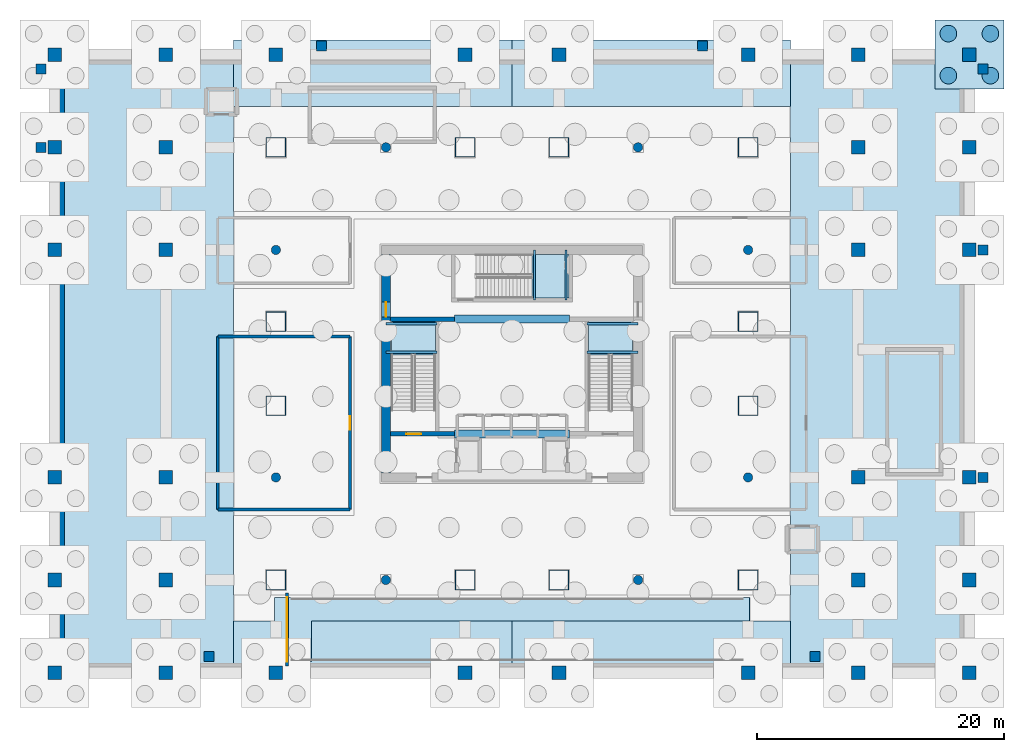
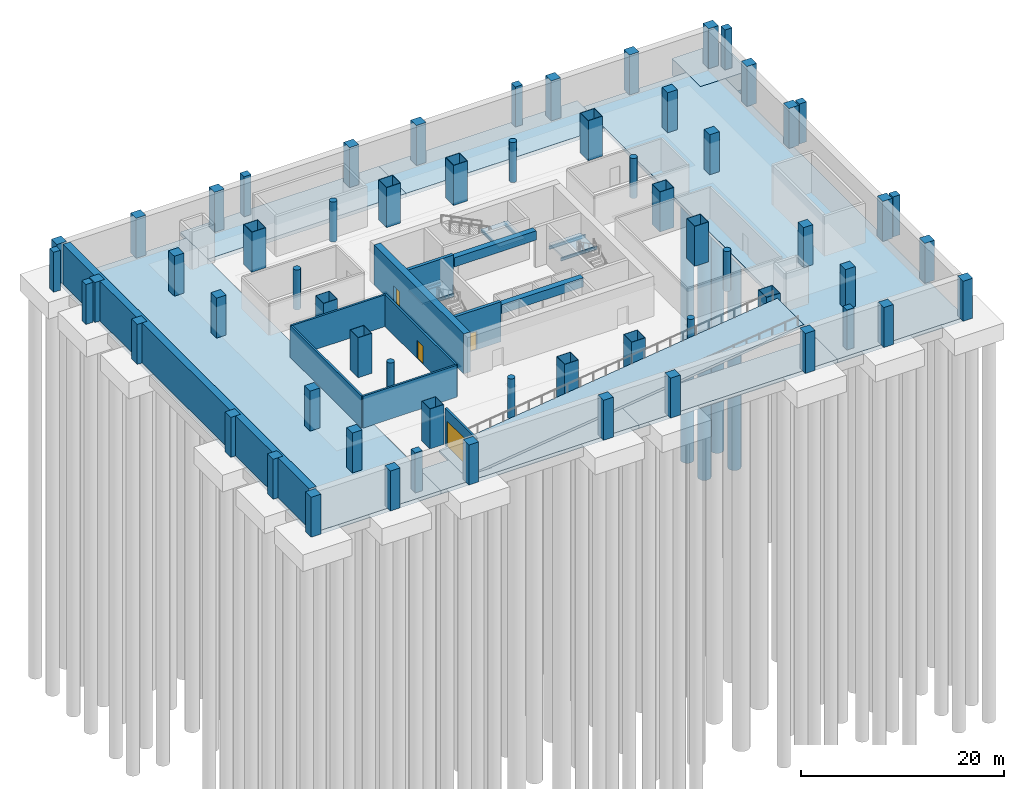
# One storey, part 3 of 11: 61 columns, 10 slabs, 9 walls, 8 beams, 4 doors, 4 piles, 1 footing, 4 openings, 3 elements without a shape of their own.
"""IFC4 building model written with IfcOpenShell, lengths in metres."""

from ifc_helpers import new_model, si_unit, direction, frame, frame_2d, origin, origin_2d, place, context, subcontext, project, spatial, polyline, rectangle, hollow_rectangle, circle, i_section, outline, extrude, material, layer, layer_set, material_profile, profile_set, type_object, element, fill, aggregate, save


model = new_model("IFC4")

# Units and contexts
model_context = context("Model", 3, precision=1e-05, world=origin(), true_north=direction((0.0, 1.0)))
body_context = subcontext(model_context, "Body", "Model", "MODEL_VIEW")
ifc_project = project(units=[si_unit("LENGTHUNIT", "METRE"), si_unit("AREAUNIT", "SQUARE_METRE"), si_unit("VOLUMEUNIT", "CUBIC_METRE"), si_unit("PLANEANGLEUNIT", "RADIAN"), si_unit("MASSUNIT", "GRAM", prefix="KILO")], contexts=[model_context])

# Site, building, storey
site_placement = place(None, origin())
site = spatial("IfcSite", under=ifc_project, at=site_placement, CompositionType="ELEMENT")
building_placement = place(site_placement, origin())
building = spatial("IfcBuilding", under=site, at=building_placement, Name="Punatoya Terracotta Tower", CompositionType="ELEMENT")
storey_placement = place(building_placement, frame((0.0, 0.0, -9.60009765625)))
storey = spatial("IfcBuildingStorey", under=building, at=storey_placement, Name="B2", CompositionType="ELEMENT", Elevation=-9.60009765625)

# Footing
ifc_material_1 = material(Name="Concrete C45/55", Category="concrete")
footing_type = type_object("IfcFootingType", Name="CAP-5600X5600X2000", PredefinedType="PILE_CAP", material=ifc_material_1)
footing_placement = place(storey_placement, frame((0.0, 0.0, -2.0)))
element("IfcFooting", 1, at=footing_placement, inside=storey, type_object=footing_type, Name="Podium Pile Cap PCAP-28 (11-H)", PredefinedType="PILE_CAP", context=body_context, shape_type="SweptSolid", body=[
    extrude(outline(polyline([(34.199951171875, 22.199951171875), (39.800048828125, 22.199951171875), (39.800048828125, 27.800048828125), (34.199951171875, 27.800048828125), (34.199951171875, 22.199951171875)])), origin(), (0.0, 0.0, 1.0), 2.0),
])

# Piles
ifc_material_profile_1 = material_profile(ifc_material_1, circle(Radius=0.675048828125, at=origin_2d()))
ifc_profile_set_1 = profile_set([ifc_material_profile_1], Name="Concrete C45/55")
pile_type = type_object("IfcPileType", Name="PILE-D1350", PredefinedType="BORED", material=ifc_profile_set_1)
for number, where, z_axis, x_axis, name in (
    (2, (35.300048828125, 23.300048828125, -1.849853515625), (0.0, 0.0, -1.0), (1.0, 0.0, 0.0), "Bored Pile BP-181"),
    (3, (35.300048828125, 26.699951171875, -1.849853515625), (0.0, 0.0, -1.0), (1.0, 0.0, 0.0), "Bored Pile BP-182"),
    (4, (38.699951171875, 23.300048828125, -1.849853515625), (0.0, 0.0, -1.0), (1.0, 0.0, 0.0), "Bored Pile BP-183"),
    (5, (38.699951171875, 26.699951171875, -1.849853515625), (0.0, 0.0, -1.0), (1.0, 0.0, 0.0), "Bored Pile BP-184"),
):
    element("IfcPile", number, at=place(storey_placement, frame(where, z_axis=z_axis, x_axis=x_axis)), inside=storey, type_object=pile_type, Name=name, PredefinedType="BORED", context=body_context, shape_type="SweptSolid", body=[
        extrude(circle(Radius=0.675048828125, at=origin_2d()), origin(), (0.0, 0.0, 1.0), 46.0),
    ])

# Columns
ifc_material_2 = material(Name="Steel S460", Category="steel")
ifc_material_profile_2 = material_profile(ifc_material_2, hollow_rectangle(XDim=1.60009765625, YDim=1.60009765625, WallThickness=0.050048828125, at=origin_2d()))
ifc_profile_set_2 = profile_set([ifc_material_profile_2], Name="Steel S460")
column_type_1 = type_object("IfcColumnType", Name="COL-MC-Z0", PredefinedType="COLUMN", material=ifc_profile_set_2)
for number, where, z_axis, x_axis, name in (
    (6, (-19.10009765625, -17.5, 0.0), (0.0, 0.0, 1.0), (1.0, 0.0, 0.0), "B2 Composite Mega-Column MC-01 (3-B)"),
    (7, (-3.800048828125, -17.5, 0.0), (0.0, 0.0, 1.0), (1.0, 0.0, 0.0), "B2 Composite Mega-Column MC-02 (5-B)"),
    (8, (3.800048828125, -17.5, 0.0), (0.0, 0.0, 1.0), (1.0, 0.0, 0.0), "B2 Composite Mega-Column MC-03 (7-B)"),
    (9, (19.10009765625, -17.5, 0.0), (0.0, 0.0, 1.0), (1.0, 0.0, 0.0), "B2 Composite Mega-Column MC-04 (9-B)"),
    (10, (19.10009765625, -3.39990234375, 0.0), (0.0, 0.0, 1.0), (1.0, 0.0, 0.0), "B2 Composite Mega-Column MC-05 (9-D)"),
    (11, (19.10009765625, 3.39990234375, 0.0), (0.0, 0.0, 1.0), (1.0, 0.0, 0.0), "B2 Composite Mega-Column MC-06 (9-E)"),
    (12, (19.10009765625, 17.5, 0.0), (0.0, 0.0, 1.0), (1.0, 0.0, 0.0), "B2 Composite Mega-Column MC-07 (9-G)"),
    (13, (3.800048828125, 17.5, 0.0), (0.0, 0.0, 1.0), (1.0, 0.0, 0.0), "B2 Composite Mega-Column MC-08 (7-G)"),
    (14, (-3.800048828125, 17.5, 0.0), (0.0, 0.0, 1.0), (1.0, 0.0, 0.0), "B2 Composite Mega-Column MC-09 (5-G)"),
    (15, (-19.10009765625, 17.5, 0.0), (0.0, 0.0, 1.0), (1.0, 0.0, 0.0), "B2 Composite Mega-Column MC-10 (3-G)"),
    (16, (-19.10009765625, 3.39990234375, 0.0), (0.0, 0.0, 1.0), (1.0, 0.0, 0.0), "B2 Composite Mega-Column MC-11 (3-E)"),
    (17, (-19.10009765625, -3.39990234375, 0.0), (0.0, 0.0, 1.0), (1.0, 0.0, 0.0), "B2 Composite Mega-Column MC-12 (3-D)"),
):
    element("IfcColumn", number, at=place(storey_placement, frame(where, z_axis=z_axis, x_axis=x_axis)), inside=storey, type_object=column_type_1, Name=name, PredefinedType="COLUMN", context=body_context, shape_type="SweptSolid", body=[
        extrude(hollow_rectangle(XDim=1.60009765625, YDim=1.60009765625, WallThickness=0.050048828125, at=origin_2d()), origin(), (0.0, 0.0, 1.0), 4.800048828125),
    ])
ifc_material_3 = material(Name="Concrete C50/60", Category="concrete")
ifc_material_profile_3 = material_profile(ifc_material_3, circle(Radius=0.375, at=origin_2d()))
ifc_profile_set_3 = profile_set([ifc_material_profile_3], Name="Concrete C50/60")
column_type_2 = type_object("IfcColumnType", Name="COL-PIL-750", PredefinedType="PILASTER", material=ifc_profile_set_3)
for number, where, z_axis, x_axis, name in (
    (18, (-10.199951171875, -17.5, 0.0), (0.0, 0.0, 1.0), (1.0, 0.0, 0.0), "B2 Spine Arcade Pilaster PIL-01"),
    (19, (10.199951171875, -17.5, 0.0), (0.0, 0.0, 1.0), (1.0, 0.0, 0.0), "B2 Spine Arcade Pilaster PIL-02"),
    (20, (-10.199951171875, 17.5, 0.0), (0.0, 0.0, 1.0), (1.0, 0.0, 0.0), "B2 Spine Arcade Pilaster PIL-03"),
    (21, (10.199951171875, 17.5, 0.0), (0.0, 0.0, 1.0), (1.0, 0.0, 0.0), "B2 Spine Arcade Pilaster PIL-04"),
    (22, (-19.10009765625, -9.199951171875, 0.0), (0.0, 0.0, 1.0), (1.0, 0.0, 0.0), "B2 Spine Arcade Pilaster PIL-05"),
    (23, (19.10009765625, -9.199951171875, 0.0), (0.0, 0.0, 1.0), (1.0, 0.0, 0.0), "B2 Spine Arcade Pilaster PIL-06"),
    (24, (-19.10009765625, 9.199951171875, 0.0), (0.0, 0.0, 1.0), (1.0, 0.0, 0.0), "B2 Spine Arcade Pilaster PIL-07"),
    (25, (19.10009765625, 9.199951171875, 0.0), (0.0, 0.0, 1.0), (1.0, 0.0, 0.0), "B2 Spine Arcade Pilaster PIL-08"),
):
    element("IfcColumn", number, at=place(storey_placement, frame(where, z_axis=z_axis, x_axis=x_axis)), inside=storey, type_object=column_type_2, Name=name, PredefinedType="PILASTER", context=body_context, shape_type="SweptSolid", body=[
        extrude(circle(Radius=0.375, at=origin_2d()), origin(), (0.0, 0.0, 1.0), 4.800048828125),
    ])
ifc_material_4 = material(Name="Concrete C60/75", Category="concrete")
ifc_material_profile_4 = material_profile(ifc_material_4, rectangle(XDim=1.10009765625, YDim=1.10009765625, at=origin_2d()))
ifc_profile_set_4 = profile_set([ifc_material_profile_4], Name="Concrete C60/75")
column_type_3 = type_object("IfcColumnType", Name="COL-RC-1100", PredefinedType="COLUMN", material=ifc_profile_set_4)
for number, where, z_axis, x_axis, name in (
    (26, (-37.0, -25.0, 0.0), (0.0, 0.0, 1.0), (1.0, 0.0, 0.0), "B2 Podium Column PC-01 (1-A)"),
    (27, (-28.0, -25.0, 0.0), (0.0, 0.0, 1.0), (1.0, 0.0, 0.0), "B2 Podium Column PC-02 (2-A)"),
    (28, (-19.10009765625, -25.0, 0.0), (0.0, 0.0, 1.0), (1.0, 0.0, 0.0), "B2 Podium Column PC-03 (3-A)"),
    (29, (-3.800048828125, -25.0, 0.0), (0.0, 0.0, 1.0), (1.0, 0.0, 0.0), "B2 Podium Column PC-04 (5-A)"),
    (30, (3.800048828125, -25.0, 0.0), (0.0, 0.0, 1.0), (1.0, 0.0, 0.0), "B2 Podium Column PC-05 (7-A)"),
    (31, (19.10009765625, -25.0, 0.0), (0.0, 0.0, 1.0), (1.0, 0.0, 0.0), "B2 Podium Column PC-06 (9-A)"),
    (32, (28.0, -25.0, 0.0), (0.0, 0.0, 1.0), (1.0, 0.0, 0.0), "B2 Podium Column PC-07 (10-A)"),
    (33, (37.0, -25.0, 0.0), (0.0, 0.0, 1.0), (1.0, 0.0, 0.0), "B2 Podium Column PC-08 (11-A)"),
    (34, (-37.0, -17.5, 0.0), (0.0, 0.0, 1.0), (1.0, 0.0, 0.0), "B2 Podium Column PC-09 (1-B)"),
    (35, (-28.0, -17.5, 0.0), (0.0, 0.0, 1.0), (1.0, 0.0, 0.0), "B2 Podium Column PC-10 (2-B)"),
    (36, (28.0, -17.5, 0.0), (0.0, 0.0, 1.0), (1.0, 0.0, 0.0), "B2 Podium Column PC-11 (10-B)"),
    (37, (37.0, -17.5, 0.0), (0.0, 0.0, 1.0), (1.0, 0.0, 0.0), "B2 Podium Column PC-12 (11-B)"),
    (38, (-37.0, -9.199951171875, 0.0), (0.0, 0.0, 1.0), (1.0, 0.0, 0.0), "B2 Podium Column PC-13 (1-C)"),
    (39, (37.0, -9.199951171875, 0.0), (0.0, 0.0, 1.0), (1.0, 0.0, 0.0), "B2 Podium Column PC-14 (11-C)"),
    (40, (-37.0, 9.199951171875, 0.0), (0.0, 0.0, 1.0), (1.0, 0.0, 0.0), "B2 Podium Column PC-15 (1-F)"),
    (41, (37.0, 9.199951171875, 0.0), (0.0, 0.0, 1.0), (1.0, 0.0, 0.0), "B2 Podium Column PC-16 (11-F)"),
    (42, (-37.0, 17.5, 0.0), (0.0, 0.0, 1.0), (1.0, 0.0, 0.0), "B2 Podium Column PC-17 (1-G)"),
    (43, (-28.0, 17.5, 0.0), (0.0, 0.0, 1.0), (1.0, 0.0, 0.0), "B2 Podium Column PC-18 (2-G)"),
    (44, (28.0, 17.5, 0.0), (0.0, 0.0, 1.0), (1.0, 0.0, 0.0), "B2 Podium Column PC-19 (10-G)"),
    (45, (37.0, 17.5, 0.0), (0.0, 0.0, 1.0), (1.0, 0.0, 0.0), "B2 Podium Column PC-20 (11-G)"),
    (46, (-37.0, 25.0, 0.0), (0.0, 0.0, 1.0), (1.0, 0.0, 0.0), "B2 Podium Column PC-21 (1-H)"),
    (47, (-28.0, 25.0, 0.0), (0.0, 0.0, 1.0), (1.0, 0.0, 0.0), "B2 Podium Column PC-22 (2-H)"),
    (48, (-19.10009765625, 25.0, 0.0), (0.0, 0.0, 1.0), (1.0, 0.0, 0.0), "B2 Podium Column PC-23 (3-H)"),
    (49, (-3.800048828125, 25.0, 0.0), (0.0, 0.0, 1.0), (1.0, 0.0, 0.0), "B2 Podium Column PC-24 (5-H)"),
    (50, (3.800048828125, 25.0, 0.0), (0.0, 0.0, 1.0), (1.0, 0.0, 0.0), "B2 Podium Column PC-25 (7-H)"),
    (51, (19.10009765625, 25.0, 0.0), (0.0, 0.0, 1.0), (1.0, 0.0, 0.0), "B2 Podium Column PC-26 (9-H)"),
    (52, (28.0, 25.0, 0.0), (0.0, 0.0, 1.0), (1.0, 0.0, 0.0), "B2 Podium Column PC-27 (10-H)"),
    (53, (37.0, 25.0, 0.0), (0.0, 0.0, 1.0), (1.0, 0.0, 0.0), "B2 Podium Column PC-28 (11-H)"),
    (54, (-28.0, -9.199951171875, 0.0), (0.0, 0.0, 1.0), (1.0, 0.0, 0.0), "B2 Podium Column PC-29 (2-C)"),
    (55, (-28.0, 9.199951171875, 0.0), (0.0, 0.0, 1.0), (1.0, 0.0, 0.0), "B2 Podium Column PC-30 (2-F)"),
    (56, (28.0, -9.199951171875, 0.0), (0.0, 0.0, 1.0), (1.0, 0.0, 0.0), "B2 Podium Column PC-31 (10-C)"),
    (57, (28.0, 9.199951171875, 0.0), (0.0, 0.0, 1.0), (1.0, 0.0, 0.0), "B2 Podium Column PC-32 (10-F)"),
):
    element("IfcColumn", number, at=place(storey_placement, frame(where, z_axis=z_axis, x_axis=x_axis)), inside=storey, type_object=column_type_3, Name=name, PredefinedType="COLUMN", context=body_context, shape_type="SweptSolid", body=[
        extrude(rectangle(XDim=1.10009765625, YDim=1.10009765625, at=origin_2d()), origin(), (0.0, 0.0, 1.0), 4.800048828125),
    ])
ifc_material_profile_5 = material_profile(ifc_material_3, rectangle(XDim=0.800048828125, YDim=0.800048828125, at=origin_2d()))
ifc_profile_set_5 = profile_set([ifc_material_profile_5], Name="Concrete C50/60")
column_type_4 = type_object("IfcColumnType", Name="COL-RC-800", PredefinedType="COLUMN", material=ifc_profile_set_5)
for number, where, z_axis, x_axis, name in (
    (58, (-24.5, -23.699951171875, 0.0), (0.0, 0.0, 1.0), (1.0, 0.0, 0.0), "B2 Substructure Support Pier PR1"),
    (59, (24.5, -23.699951171875, 0.0), (0.0, 0.0, 1.0), (1.0, 0.0, 0.0), "B2 Substructure Support Pier PR2"),
    (60, (-15.39990234375, 25.699951171875, 0.0), (0.0, 0.0, 1.0), (1.0, 0.0, 0.0), "B2 Substructure Support Pier PR3"),
    (61, (15.39990234375, 25.699951171875, 0.0), (0.0, 0.0, 1.0), (1.0, 0.0, 0.0), "B2 Substructure Support Pier PR4"),
    (62, (38.10009765625, -9.199951171875, 0.0), (0.0, 0.0, 1.0), (1.0, 0.0, 0.0), "B2 Substructure Support Pier APRE1"),
    (63, (38.10009765625, 9.199951171875, 0.0), (0.0, 0.0, 1.0), (1.0, 0.0, 0.0), "B2 Substructure Support Pier APRE2"),
    (64, (38.10009765625, 23.85009765625, 0.0), (0.0, 0.0, 1.0), (1.0, 0.0, 0.0), "B2 Substructure Support Pier APRE3"),
    (65, (-38.10009765625, 17.5, 0.0), (0.0, 0.0, 1.0), (1.0, 0.0, 0.0), "B2 Substructure Support Pier APRW1"),
    (66, (-38.10009765625, 23.85009765625, 0.0), (0.0, 0.0, 1.0), (1.0, 0.0, 0.0), "B2 Substructure Support Pier APRW2"),
):
    element("IfcColumn", number, at=place(storey_placement, frame(where, z_axis=z_axis, x_axis=x_axis)), inside=storey, type_object=column_type_4, Name=name, PredefinedType="COLUMN", context=body_context, shape_type="SweptSolid", body=[
        extrude(rectangle(XDim=0.800048828125, YDim=0.800048828125, at=origin_2d()), origin(), (0.0, 0.0, 1.0), 4.800048828125),
    ])

# Beams
ifc_material_profile_6 = material_profile(ifc_material_4, rectangle(XDim=0.64990234375, YDim=1.10009765625, at=origin_2d()))
ifc_profile_set_6 = profile_set([ifc_material_profile_6], Name="Concrete C60/75")
beam_type_1 = type_object("IfcBeamType", Name="BM-RC-1100", PredefinedType="LINTEL", material=ifc_profile_set_6)
for number, where, z_axis, x_axis, name in (
    (67, (-4.64990234375, -5.679931640625, 3.97021484375), (1.0, 0.0, 0.0), (0.0, 1.0, 0.0), "B2 Core Coupling Lintel CSW"),
    (68, (-4.64990234375, 3.60009765625, 3.97021484375), (1.0, 0.0, 0.0), (0.0, 1.0, 0.0), "B2 Core Coupling Lintel CNW"),
):
    element("IfcBeam", number, at=place(storey_placement, frame(where, z_axis=z_axis, x_axis=x_axis)), inside=storey, type_object=beam_type_1, Name=name, PredefinedType="LINTEL", context=body_context, shape_type="SweptSolid", body=[
        extrude(rectangle(XDim=0.64990234375, YDim=1.10009765625, at=origin_2d()), origin(), (0.0, 0.0, 1.0), 9.2998046875),
    ])
ifc_material_5 = material(Name="Steel S355", Category="steel")
ifc_material_profile_7 = material_profile(ifc_material_5, i_section(OverallWidth=0.169921875, OverallDepth=0.360107421875, WebThickness=0.008056640625, FlangeThickness=0.0126953125, FilletRadius=0.01806640625, at=origin_2d()))
ifc_profile_set_7 = profile_set([ifc_material_profile_7], Name="Steel S355")
beam_type_2 = type_object("IfcBeamType", Name="BM-SEC-360", PredefinedType="JOIST", material=ifc_profile_set_7)
for number, where, z_axis, x_axis, name in (
    (69, (-10.199951171875, 0.919921875, 2.02001953125), (1.0, 0.0, 0.0), (0.0, 1.0, 0.0), "BM-B2-ST-1-LD1A"),
    (70, (-10.199951171875, 3.22998046875, 2.02001953125), (1.0, 0.0, 0.0), (0.0, 1.0, 0.0), "BM-B2-ST-1-LD1B"),
    (71, (6.050048828125, 0.919921875, 2.02001953125), (1.0, 0.0, 0.0), (0.0, 1.0, 0.0), "BM-B2-ST-2-LD1A"),
    (72, (6.050048828125, 3.22998046875, 2.02001953125), (1.0, 0.0, 0.0), (0.0, 1.0, 0.0), "BM-B2-ST-2-LD1B"),
):
    element("IfcBeam", number, at=place(storey_placement, frame(where, z_axis=z_axis, x_axis=x_axis)), inside=storey, type_object=beam_type_2, Name=name, PredefinedType="JOIST", context=body_context, shape_type="SweptSolid", body=[
        extrude(i_section(OverallWidth=0.169921875, OverallDepth=0.360107421875, WebThickness=0.008056640625, FlangeThickness=0.0126953125, FilletRadius=0.01806640625, at=origin_2d()), origin(), (0.0, 0.0, 1.0), 4.14990234375),
    ])
for number, where, z_axis, x_axis, name in (
    (73, (1.820068359375, 5.14990234375, 2.02001953125), (0.0, 1.0, 0.0), (-1.0, 0.0, 0.0), "BM-B2-ST-3-LD1A"),
    (74, (4.3798828125, 5.14990234375, 2.02001953125), (0.0, 1.0, 0.0), (-1.0, 0.0, 0.0), "BM-B2-ST-3-LD1B"),
):
    element("IfcBeam", number, at=place(storey_placement, frame(where, z_axis=z_axis, x_axis=x_axis)), inside=storey, type_object=beam_type_2, Name=name, PredefinedType="JOIST", context=body_context, shape_type="SweptSolid", body=[
        extrude(i_section(OverallWidth=0.169921875, OverallDepth=0.360107421875, WebThickness=0.008056640625, FlangeThickness=0.0126953125, FilletRadius=0.01806640625, at=origin_2d()), origin(), (0.0, 0.0, 1.0), 4.050048828125),
    ])

# Slabs
ifc_material_6 = material(Name="Concrete C40/50", Category="concrete")
ifc_layer_1 = layer(ifc_material_6, 0.449951171875)
ifc_layer_set_1 = layer_set([ifc_layer_1], Name="Concrete C40/50")
slab_type_1 = type_object("IfcSlabType", Name="SLB-BAS-450", PredefinedType="BASESLAB", material=ifc_layer_set_1)
slab_1_placement = place(storey_placement, frame((0.0, 0.0, -0.449951171875)))
element("IfcSlab", 75, at=slab_1_placement, inside=storey, type_object=slab_type_1, Name="B2 Basement Base Slab W", PredefinedType="BASESLAB", context=body_context, shape_type="SweptSolid", body=[
    extrude(outline(polyline([(-37.0, -25.0), (-22.52001953125, -25.0), (-22.52001953125, 25.0), (-37.0, 25.0), (-37.0, -25.0)])), origin(), (0.0, 0.0, 1.0), 0.449951171875),
])
slab_2_placement = place(storey_placement, frame((0.0, 0.0, -0.449951171875)))
element("IfcSlab", 76, at=slab_2_placement, inside=storey, type_object=slab_type_1, Name="B2 Basement Base Slab E", PredefinedType="BASESLAB", context=body_context, shape_type="SweptSolid", body=[
    extrude(outline(polyline([(22.52001953125, -25.0), (37.0, -25.0), (37.0, 25.0), (22.52001953125, 25.0), (22.52001953125, -25.0)])), origin(), (0.0, 0.0, 1.0), 0.449951171875),
])
slab_3_placement = place(storey_placement, frame((0.0, 0.0, -0.449951171875)))
element("IfcSlab", 77, at=slab_3_placement, inside=storey, type_object=slab_type_1, Name="B2 Basement Base Slab SW", PredefinedType="BASESLAB", context=body_context, shape_type="SweptSolid", body=[
    extrude(outline(polyline([(0.0, -20.820068359375), (0.0, -25.0), (-22.52001953125, -25.0), (-22.52001953125, -20.820068359375), (-19.19921875, -20.820068359375), (-19.19921875, -24.10009765625), (-16.199951171875, -24.10009765625), (-16.199951171875, -20.820068359375), (0.0, -20.820068359375)])), origin(), (0.0, 0.0, 1.0), 0.449951171875),
])
slab_4_placement = place(storey_placement, frame((0.0, 0.0, -0.449951171875)))
element("IfcSlab", 78, at=slab_4_placement, inside=storey, type_object=slab_type_1, Name="B2 Basement Base Slab SE", PredefinedType="BASESLAB", context=body_context, shape_type="SweptSolid", body=[
    extrude(outline(polyline([(0.0, -25.0), (22.52001953125, -25.0), (22.52001953125, -20.820068359375), (0.0, -20.820068359375), (0.0, -25.0)])), origin(), (0.0, 0.0, 1.0), 0.449951171875),
])
slab_5_placement = place(storey_placement, frame((0.0, 0.0, -0.449951171875)))
element("IfcSlab", 79, at=slab_5_placement, inside=storey, type_object=slab_type_1, Name="B2 Basement Base Slab NW", PredefinedType="BASESLAB", context=body_context, shape_type="SweptSolid", body=[
    extrude(outline(polyline([(-22.52001953125, 20.820068359375), (0.0, 20.820068359375), (0.0, 26.199951171875), (-22.52001953125, 26.199951171875), (-22.52001953125, 20.820068359375)])), origin(), (0.0, 0.0, 1.0), 0.449951171875),
])
slab_6_placement = place(storey_placement, frame((0.0, 0.0, -0.449951171875)))
element("IfcSlab", 80, at=slab_6_placement, inside=storey, type_object=slab_type_1, Name="B2 Basement Base Slab NE", PredefinedType="BASESLAB", context=body_context, shape_type="SweptSolid", body=[
    extrude(outline(polyline([(0.0, 20.820068359375), (22.52001953125, 20.820068359375), (22.52001953125, 26.199951171875), (0.0, 26.199951171875), (0.0, 20.820068359375)])), origin(), (0.0, 0.0, 1.0), 0.449951171875),
])

# Stair, slab
stair_type_1 = type_object("IfcStairType", Name="STR-TER-1450", PredefinedType="HALF_TURN_STAIR", material=ifc_material_6)
stair_1_placement = place(storey_placement, origin())
stair_1 = element("IfcStair", 81, at=stair_1_placement, inside=storey, type_object=stair_type_1, Name="B2 Protected Core Exit Stair ST-3", PredefinedType="HALF_TURN_STAIR")
ifc_layer_2 = layer(ifc_material_6, 0.1650390625)
ifc_layer_set_2 = layer_set([ifc_layer_2], Name="Concrete C40/50")
slab_type_2 = type_object("IfcSlabType", Name="SLB-LND-165", PredefinedType="LANDING", material=ifc_layer_set_2)
slab_7_placement = place(storey_placement, frame((0.0, 0.0, 2.2001953125)))
slab_7 = element("IfcSlab", 82, at=slab_7_placement, type_object=slab_type_2, Name="ST-3 landing 1", PredefinedType="LANDING", context=body_context, shape_type="SweptSolid", body=[
    extrude(outline(polyline([(1.60009765625, 5.300048828125), (4.60009765625, 5.300048828125), (4.60009765625, 8.85009765625), (1.60009765625, 8.85009765625), (1.60009765625, 5.300048828125)])), origin(), (0.0, 0.0, 1.0), 0.199951171875),
])
aggregate(stair_1, [slab_7])

stair_type_2 = type_object("IfcStairType", Name="STR-CORE-1550", PredefinedType="HALF_TURN_STAIR", material=ifc_material_6)
stair_2_placement = place(storey_placement, origin())
stair_2 = element("IfcStair", 83, at=stair_2_placement, inside=storey, type_object=stair_type_2, Name="B2 Protected Core Exit Stair ST-1", PredefinedType="HALF_TURN_STAIR")
ifc_layer_3 = layer(ifc_material_6, 0.179931640625)
ifc_layer_set_3 = layer_set([ifc_layer_3], Name="Concrete C40/50")
slab_type_3 = type_object("IfcSlabType", Name="SLB-LND-180", PredefinedType="LANDING", material=ifc_layer_set_3)
slab_8_placement = place(storey_placement, frame((0.0, 0.0, 2.2001953125)))
slab_8 = element("IfcSlab", 84, at=slab_8_placement, type_object=slab_type_3, Name="ST-1 landing 1", PredefinedType="LANDING", context=body_context, shape_type="SweptSolid", body=[
    extrude(outline(polyline([(-6.199951171875, 0.699951171875), (-6.199951171875, 3.449951171875), (-9.75, 3.449951171875), (-9.75, 0.699951171875), (-6.199951171875, 0.699951171875)])), origin(), (0.0, 0.0, 1.0), 0.199951171875),
])
aggregate(stair_2, [slab_8])

stair_type_3 = type_object("IfcStairType", Name="STR-LOB-1650", PredefinedType="HALF_TURN_STAIR", material=ifc_material_6)
stair_3_placement = place(storey_placement, origin())
stair_3 = element("IfcStair", 85, at=stair_3_placement, inside=storey, type_object=stair_type_3, Name="B2 Protected Core Exit Stair ST-2", PredefinedType="HALF_TURN_STAIR")
slab_9_placement = place(storey_placement, frame((0.0, 0.0, 2.2001953125)))
slab_9 = element("IfcSlab", 86, at=slab_9_placement, type_object=slab_type_3, Name="ST-2 landing 1", PredefinedType="LANDING", context=body_context, shape_type="SweptSolid", body=[
    extrude(outline(polyline([(9.75, 0.699951171875), (9.75, 3.449951171875), (6.199951171875, 3.449951171875), (6.199951171875, 0.699951171875), (9.75, 0.699951171875)])), origin(), (0.0, 0.0, 1.0), 0.199951171875),
])
aggregate(stair_3, [slab_9])

# Slab
ifc_layer_4 = layer(ifc_material_6, 0.300048828125)
ifc_layer_set_4 = layer_set([ifc_layer_4], Name="Concrete C40/50")
slab_type_4 = type_object("IfcSlabType", Name="SLB-RMP-300", PredefinedType="FLOOR", material=ifc_layer_set_4)
slab_10_placement = place(storey_placement, frame((-19.199951171875, -24.10009765625, 0.0), z_axis=(-0.124036287512, 0.0, 0.992277682597), x_axis=(0.992277682597, 0.0, 0.124036287512)))
element("IfcSlab", 87, at=slab_10_placement, inside=storey, type_object=slab_type_4, Name="B2-to-B1 Two-Way 1:8 Vehicle Ramp Structural Slab", PredefinedType="FLOOR", context=body_context, shape_type="SweptSolid", body=[
    extrude(outline(polyline([(0.0, 0.0), (38.69873046875, 0.0), (38.69873046875, 5.2001953125), (0.0, 5.2001953125), (0.0, 0.0)])), origin(), (0.0, 0.0, -1.0), 0.300048828125),
])

# Wall, opening, door
ifc_layer_5 = layer(ifc_material_4, 0.75)
ifc_layer_set_5 = layer_set([ifc_layer_5], Name="Concrete C60/75")
wall_type_1 = type_object("IfcWallType", Name="WL-COR-750", PredefinedType="SHEAR", material=ifc_layer_set_5)
wall_1_placement = place(storey_placement, frame((-10.199951171875, -8.824951171875, 0.0), z_axis=(0.0, 0.0, 1.0), x_axis=(0.0, 1.0, 0.0)))
wall_1 = element("IfcWall", 88, at=wall_1_placement, inside=storey, type_object=wall_type_1, Name="B2 Core Shear Wall W", PredefinedType="SHEAR", context=body_context, shape_type="SweptSolid", body=[
    extrude(rectangle(XDim=17.64990234375, YDim=0.75, at=frame_2d((8.824951171875, 0.0))), origin(), (0.0, 0.0, 1.0), 4.800048828125),
])
opening_1_placement = place(wall_1_placement, frame((12.614990234375, 0.0, 0.0)))
opening_1 = element("IfcOpeningElement", 89, at=opening_1_placement, cuts=wall_1, Name="Opening SD-01", PredefinedType="OPENING", context=body_context, shape_type="SweptSolid", body=[
    extrude(rectangle(XDim=1.179931640625, YDim=2.199951171875, at=frame_2d((0.58984375, 1.10009765625))), frame((0.0, 0.385009765625, 0.0), z_axis=(0.0, -1.0, 0.0), x_axis=(1.0, 0.0, 0.0)), (0.0, 0.0, 1.0), 0.77001953125),
])
ifc_material_7 = material(Name="Galvanised Steel Pressurized Stair Fire Door", Category="steel")
door_type_1 = type_object("IfcDoorType", Name="DR-STR-1180", OperationType="NOTDEFINED", PredefinedType="DOOR", material=ifc_material_7)
door_1_placement = place(opening_1_placement, origin())
door_1 = element("IfcDoor", 90, at=door_1_placement, inside=storey, type_object=door_type_1, Name="B2 Central Lift Lobby West Fire Door", OperationType="SINGLE_SWING_LEFT", OverallHeight=2.199951171875, OverallWidth=1.179931640625, PredefinedType="DOOR", context=body_context, shape_type="SweptSolid", body=[
    extrude(rectangle(XDim=1.179931640625, YDim=2.199951171875, at=frame_2d((0.58984375, 1.10009765625))), frame((0.0, 0.02490234375, 0.0), z_axis=(0.0, -1.0, 0.0), x_axis=(1.0, 0.0, 0.0)), (0.0, 0.0, 1.0), 0.050048828125),
])
fill(opening_1, door_1)

ifc_layer_6 = layer(ifc_material_6, 0.219970703125)
ifc_layer_set_6 = layer_set([ifc_layer_6], Name="Concrete C40/50")
wall_type_2 = type_object("IfcWallType", Name="WL-FIR-220", PredefinedType="SOLIDWALL", material=ifc_layer_set_6)
wall_2_placement = place(storey_placement, frame((-18.199951171875, -24.449951171875, 0.0), z_axis=(0.0, 0.0, 1.0), x_axis=(0.0, 1.0, 0.0)))
wall_2 = element("IfcWall", 91, at=wall_2_placement, inside=storey, type_object=wall_type_2, Name="B2 Car Ramp VR-1 Fire-Shutter Portal Wall", PredefinedType="SOLIDWALL", context=body_context, shape_type="SweptSolid", body=[
    extrude(rectangle(XDim=5.89990234375, YDim=0.219970703125, at=frame_2d((2.949951171875, 0.0))), origin(), (0.0, 0.0, 1.0), 4.52001953125),
])
opening_2_placement = place(wall_2_placement, frame((0.35009765625, 0.0, 0.0)))
opening_2 = element("IfcOpeningElement", 92, at=opening_2_placement, cuts=wall_2, Name="Opening VRS-1", PredefinedType="OPENING", context=body_context, shape_type="SweptSolid", body=[
    extrude(rectangle(XDim=5.199951171875, YDim=3.199951171875, at=frame_2d((2.60009765625, 1.60009765625))), frame((0.0, 0.119873046875, 0.0), z_axis=(0.0, -1.0, 0.0), x_axis=(1.0, 0.0, 0.0)), (0.0, 0.0, 1.0), 0.239990234375),
])
ifc_material_8 = material(Name="Galvanised Steel Roller Shutter", Category="steel")
door_type_2 = type_object("IfcDoorType", Name="DR-SHU-5200", OperationType="NOTDEFINED", PredefinedType="GATE", material=ifc_material_8)
door_2_placement = place(opening_2_placement, origin())
door_2 = element("IfcDoor", 93, at=door_2_placement, inside=storey, type_object=door_type_2, Name="B2 Car Ramp VR-1 Fire Roller Shutter", OperationType="ROLLINGUP", OverallHeight=3.199951171875, OverallWidth=5.199951171875, PredefinedType="GATE", context=body_context, shape_type="SweptSolid", body=[
    extrude(rectangle(XDim=5.199951171875, YDim=3.199951171875, at=frame_2d((2.60009765625, 1.60009765625))), frame((0.0, 0.02490234375, 0.0), z_axis=(0.0, -1.0, 0.0), x_axis=(1.0, 0.0, 0.0)), (0.0, 0.0, 1.0), 0.050048828125),
])
fill(opening_2, door_2)

wall_3_placement = place(storey_placement, frame((-13.10009765625, -11.800048828125, 0.0), z_axis=(0.0, 0.0, 1.0), x_axis=(0.0, 1.0, 0.0)))
wall_3 = element("IfcWall", 94, at=wall_3_placement, inside=storey, type_object=wall_type_2, Name="B2 Central Water-Cooled Chiller Plant Room Partition 12", PredefinedType="SOLIDWALL", context=body_context, shape_type="SweptSolid", body=[
    extrude(rectangle(XDim=14.0, YDim=0.219970703125, at=frame_2d((7.0, 0.0))), origin(), (0.0, 0.0, 1.0), 3.814208984375),
])
opening_3_placement = place(wall_3_placement, frame((6.449951171875, 0.0, 0.0)))
opening_3 = element("IfcOpeningElement", 95, at=opening_3_placement, cuts=wall_3, Name="Opening FD-P1", PredefinedType="OPENING", context=body_context, shape_type="SweptSolid", body=[
    extrude(rectangle(XDim=1.10009765625, YDim=2.199951171875, at=frame_2d((0.550048828125, 1.10009765625))), frame((0.0, 0.119873046875, 0.0), z_axis=(0.0, -1.0, 0.0), x_axis=(1.0, 0.0, 0.0)), (0.0, 0.0, 1.0), 0.239990234375),
])
ifc_material_9 = material(Name="Galvanised Steel Plant Fire Door", Category="steel")
door_type_3 = type_object("IfcDoorType", Name="DR-PLT-1100", OperationType="NOTDEFINED", PredefinedType="DOOR", material=ifc_material_9)
door_3_placement = place(opening_3_placement, origin())
door_3 = element("IfcDoor", 96, at=door_3_placement, inside=storey, type_object=door_type_3, Name="B2 Central Water-Cooled Chiller Plant Room Fire Door", OperationType="SINGLE_SWING_LEFT", OverallHeight=2.199951171875, OverallWidth=1.10009765625, PredefinedType="DOOR", context=body_context, shape_type="SweptSolid", body=[
    extrude(rectangle(XDim=1.10009765625, YDim=2.199951171875, at=frame_2d((0.550048828125, 1.10009765625))), frame((0.0, 0.02490234375, 0.0), z_axis=(0.0, -1.0, 0.0), x_axis=(1.0, 0.0, 0.0)), (0.0, 0.0, 1.0), 0.050048828125),
])
fill(opening_3, door_3)

# Walls
wall_4_placement = place(storey_placement, frame((-13.10009765625, 2.199951171875, 0.0), z_axis=(0.0, 0.0, 1.0), x_axis=(-1.0, 0.0, 0.0)))
element("IfcWall", 97, at=wall_4_placement, inside=storey, type_object=wall_type_2, Name="B2 Central Water-Cooled Chiller Plant Room Partition 13", PredefinedType="SOLIDWALL", context=body_context, shape_type="SweptSolid", body=[
    extrude(rectangle(XDim=10.699951171875, YDim=0.219970703125, at=frame_2d((5.35009765625, 0.0))), origin(), (0.0, 0.0, 1.0), 3.814208984375),
])
wall_5_placement = place(storey_placement, frame((-23.800048828125, 2.199951171875, 0.0), z_axis=(0.0, 0.0, 1.0), x_axis=(0.0, -1.0, 0.0)))
element("IfcWall", 98, at=wall_5_placement, inside=storey, type_object=wall_type_2, Name="B2 Central Water-Cooled Chiller Plant Room Partition 14", PredefinedType="SOLIDWALL", context=body_context, shape_type="SweptSolid", body=[
    extrude(rectangle(XDim=14.0, YDim=0.219970703125, at=frame_2d((7.0, 0.0))), origin(), (0.0, 0.0, 1.0), 3.814208984375),
])
wall_6_placement = place(storey_placement, frame((-23.800048828125, -11.800048828125, 0.0), z_axis=(0.0, 0.0, 1.0), x_axis=(1.0, 0.0, 0.0)))
element("IfcWall", 99, at=wall_6_placement, inside=storey, type_object=wall_type_2, Name="B2 Central Water-Cooled Chiller Plant Room Partition 15", PredefinedType="SOLIDWALL", context=body_context, shape_type="SweptSolid", body=[
    extrude(rectangle(XDim=10.699951171875, YDim=0.219970703125, at=frame_2d((5.35009765625, 0.0))), origin(), (0.0, 0.0, 1.0), 3.814208984375),
])
ifc_layer_7 = layer(ifc_material_4, 0.800048828125)
ifc_layer_set_7 = layer_set([ifc_layer_7], Name="Concrete C60/75")
wall_type_3 = type_object("IfcWallType", Name="WL-RET-800", PredefinedType="USERDEFINED", material=ifc_layer_set_7)
wall_7_placement = place(storey_placement, frame((-36.60009765625, -24.199951171875, 0.0), z_axis=(0.0, 0.0, 1.0), x_axis=(0.0, 1.0, 0.0)))
element("IfcWall", 100, at=wall_7_placement, inside=storey, type_object=wall_type_3, Name="B2 Perimeter Retaining Wall West", ObjectType="RETAININGWALL", PredefinedType="USERDEFINED", context=body_context, shape_type="SweptSolid", body=[
    extrude(rectangle(XDim=48.39990234375, YDim=0.800048828125, at=frame_2d((24.199951171875, 0.0))), origin(), (0.0, 0.0, 1.0), 4.800048828125),
])

# Wall, opening, door
ifc_layer_8 = layer(ifc_material_3, 0.35009765625)
ifc_layer_set_8 = layer_set([ifc_layer_8], Name="Concrete C50/60")
wall_type_4 = type_object("IfcWallType", Name="WL-SHF-350", PredefinedType="SOLIDWALL", material=ifc_layer_set_8)
wall_8_placement = place(storey_placement, frame((-9.824951171875, -5.679931640625, 0.0), z_axis=(0.0, 0.0, 1.0), x_axis=(1.0, 0.0, 0.0)))
wall_8 = element("IfcWall", 101, at=wall_8_placement, inside=storey, type_object=wall_type_4, Name="B2 Core Web Wall CSW-L", PredefinedType="SOLIDWALL", context=body_context, shape_type="SweptSolid", body=[
    extrude(rectangle(XDim=5.175048828125, YDim=0.35009765625, at=frame_2d((2.58740234375, 0.0))), origin(), (0.0, 0.0, 1.0), 4.800048828125),
])
opening_4_placement = place(wall_8_placement, frame((1.284912109375, 0.0, 0.0)))
opening_4 = element("IfcOpeningElement", 102, at=opening_4_placement, cuts=wall_8, Name="Opening SD-01", PredefinedType="OPENING", context=body_context, shape_type="SweptSolid", body=[
    extrude(rectangle(XDim=1.179931640625, YDim=2.199951171875, at=frame_2d((0.58984375, 1.10009765625))), frame((0.0, 0.18505859375, 0.0), z_axis=(0.0, -1.0, 0.0), x_axis=(1.0, 0.0, 0.0)), (0.0, 0.0, 1.0), 0.3701171875),
])
door_4_placement = place(opening_4_placement, origin())
door_4 = element("IfcDoor", 103, at=door_4_placement, inside=storey, type_object=door_type_1, Name="B2 Stair ST-1 Smokeproof Lobby Fire Door", OperationType="SINGLE_SWING_LEFT", OverallHeight=2.199951171875, OverallWidth=1.179931640625, PredefinedType="DOOR", context=body_context, shape_type="SweptSolid", body=[
    extrude(rectangle(XDim=1.179931640625, YDim=2.199951171875, at=frame_2d((0.58984375, 1.10009765625))), frame((0.0, 0.02490234375, 0.0), z_axis=(0.0, -1.0, 0.0), x_axis=(1.0, 0.0, 0.0)), (0.0, 0.0, 1.0), 0.050048828125),
])
fill(opening_4, door_4)

# Wall
wall_9_placement = place(storey_placement, frame((-9.824951171875, 3.60009765625, 0.0), z_axis=(0.0, 0.0, 1.0), x_axis=(1.0, 0.0, 0.0)))
element("IfcWall", 104, at=wall_9_placement, inside=storey, type_object=wall_type_4, Name="B2 Core Web Wall CNW-L", PredefinedType="SOLIDWALL", context=body_context, shape_type="SweptSolid", body=[
    extrude(rectangle(XDim=5.175048828125, YDim=0.35009765625, at=frame_2d((2.58740234375, 0.0))), origin(), (0.0, 0.0, 1.0), 4.800048828125),
])

save(model, "model.ifc")
